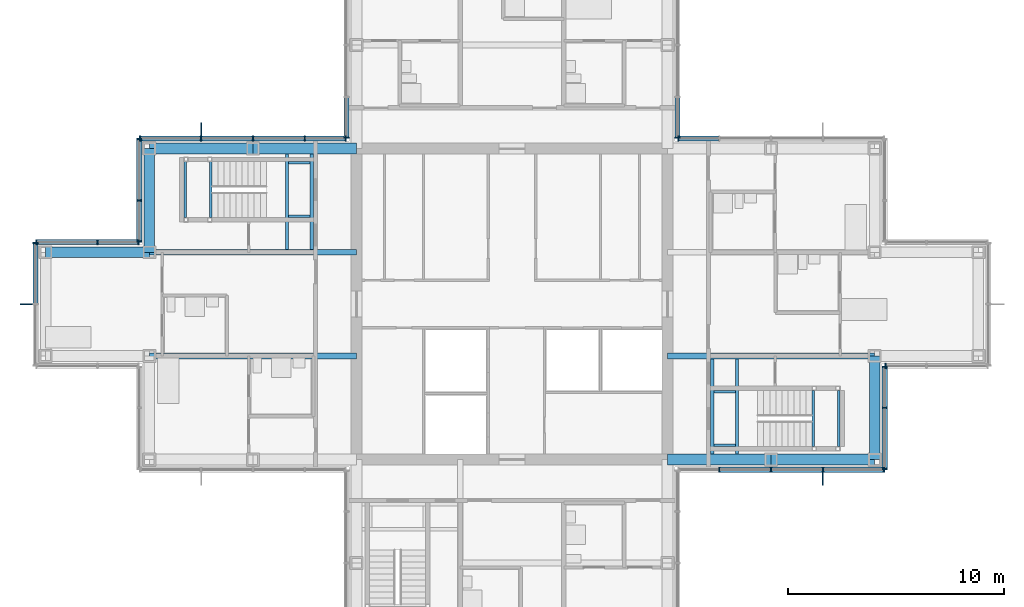
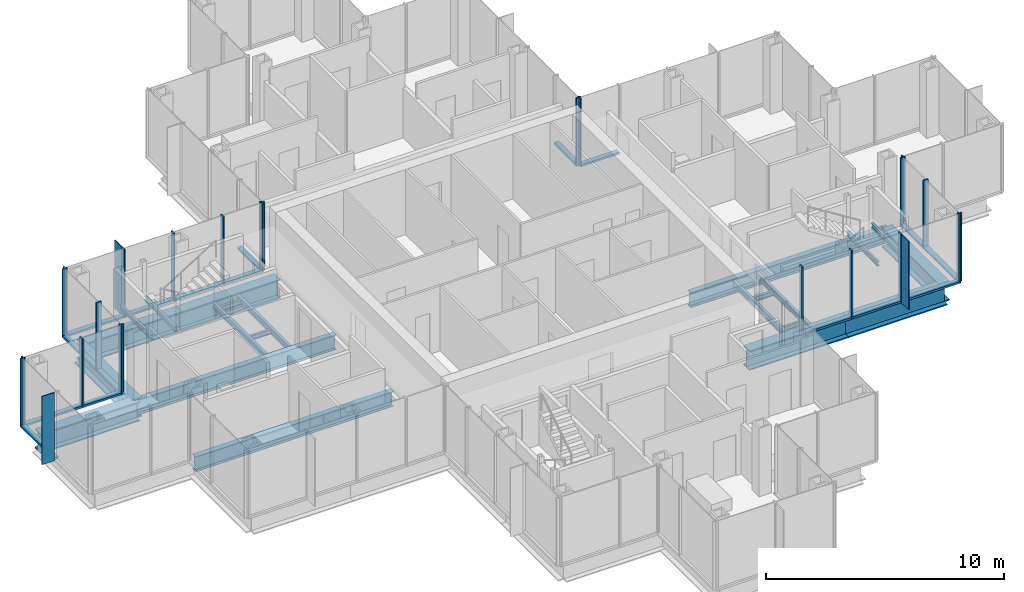
# One storey, part 7 of 17: 43 members, 22 beams, 10 elements without a shape of their own.
"""IFC4 building model written with IfcOpenShell, lengths in metres."""

from ifc_helpers import new_model, si_unit, direction, frame, origin, origin_2d, place, context, subcontext, project, spatial, rectangle, i_section, extrude, material, material_profile, profile_set, type_object, element, aggregate, save


model = new_model("IFC4")

# Units and contexts
model_context = context("Model", 3, precision=1e-05, world=origin(), true_north=direction((0.0, 1.0)))
body_context = subcontext(model_context, "Body", "Model", "MODEL_VIEW")
ifc_project = project(units=[si_unit("LENGTHUNIT", "METRE"), si_unit("AREAUNIT", "SQUARE_METRE"), si_unit("VOLUMEUNIT", "CUBIC_METRE"), si_unit("PLANEANGLEUNIT", "RADIAN"), si_unit("MASSUNIT", "GRAM", prefix="KILO")], contexts=[model_context])

# Site, building, storey
site_placement = place(None, origin())
site = spatial("IfcSite", under=ifc_project, at=site_placement, CompositionType="ELEMENT")
building_placement = place(site_placement, origin())
building = spatial("IfcBuilding", under=site, at=building_placement, Name="Kvirike Care Tower", CompositionType="ELEMENT")
storey_placement = place(building_placement, frame((0.0, 0.0, 176.0)))
storey = spatial("IfcBuildingStorey", under=building, at=storey_placement, Name="L48", CompositionType="ELEMENT", Elevation=176.0)

# Curtain wall, member
ifc_material_1 = material(Name="Anodised aluminium stick system", Category="aluminium")
curtain_wall_type = type_object("IfcCurtainWallType", Name="CW-C STICK CURTAIN WALL", PredefinedType="NOTDEFINED", material=ifc_material_1)
curtain_wall_1_placement = place(storey_placement, origin())
curtain_wall_1 = element("IfcCurtainWall", 1, at=curtain_wall_1_placement, inside=storey, type_object=curtain_wall_type, Name="Curtain wall L48 face 1", PredefinedType="NOTDEFINED")
ifc_material_2 = material(Name="Bronze anodised aluminium fin", Category="aluminium")
ifc_material_profile_1 = material_profile(ifc_material_2, rectangle(XDim=0.050048828125, YDim=0.60009765625, at=origin_2d()), Name="BRONZE FIN 600")
ifc_profile_set_1 = profile_set([ifc_material_profile_1], Name="Bronze anodised aluminium fin")
member_type_1 = type_object("IfcMemberType", Name="BRONZE FIN 600", PredefinedType="USERDEFINED", material=ifc_profile_set_1)
member_1_placement = place(storey_placement, frame((36.0, 27.909912109375, 0.0), z_axis=(0.0, 0.0, 1.0), x_axis=(1.0, 0.0, 0.0)))
member_1 = element("IfcMember", 2, at=member_1_placement, type_object=member_type_1, Name="Bronze fin L48 face 1.4", ObjectType="FIN", PredefinedType="USERDEFINED", context=body_context, shape_type="SweptSolid", body=[
    extrude(rectangle(XDim=0.050048828125, YDim=0.60009765625, at=origin_2d()), origin(), (0.0, 0.0, 1.0), 3.5),
])

curtain_wall_2_placement = place(storey_placement, origin())
curtain_wall_2 = element("IfcCurtainWall", 3, at=curtain_wall_2_placement, inside=storey, type_object=curtain_wall_type, Name="Curtain wall L48 face 15", PredefinedType="NOTDEFINED")
member_2_placement = place(storey_placement, frame((7.199951171875, 44.090087890625, 0.0), z_axis=(0.0, 0.0, 1.0), x_axis=(-1.0, 0.0, 0.0)))
member_2 = element("IfcMember", 4, at=member_2_placement, type_object=member_type_1, Name="Bronze fin L48 face 15.4", ObjectType="FIN", PredefinedType="USERDEFINED", context=body_context, shape_type="SweptSolid", body=[
    extrude(rectangle(XDim=0.050048828125, YDim=0.60009765625, at=origin_2d()), origin(), (0.0, 0.0, 1.0), 3.5),
])

curtain_wall_3_placement = place(storey_placement, origin())
curtain_wall_3 = element("IfcCurtainWall", 5, at=curtain_wall_3_placement, inside=storey, type_object=curtain_wall_type, Name="Curtain wall L48 face 18", PredefinedType="NOTDEFINED")
member_3_placement = place(storey_placement, frame((-0.889892578125, 36.0, 0.0), z_axis=(0.0, 0.0, 1.0), x_axis=(0.0, -1.0, 0.0)))
member_3 = element("IfcMember", 6, at=member_3_placement, type_object=member_type_1, Name="Bronze fin L48 face 18.2", ObjectType="FIN", PredefinedType="USERDEFINED", context=body_context, shape_type="SweptSolid", body=[
    extrude(rectangle(XDim=0.050048828125, YDim=0.60009765625, at=origin_2d()), origin(), (0.0, 0.0, 1.0), 3.5),
])

# Member
ifc_material_3 = material(Name="Bronze anodised aluminium mullion", Category="aluminium")
ifc_material_profile_2 = material_profile(ifc_material_3, rectangle(XDim=0.06494140625, YDim=0.239990234375, at=origin_2d()), Name="CW-C MULLION 65x240")
ifc_profile_set_2 = profile_set([ifc_material_profile_2], Name="Bronze anodised aluminium mullion")
member_type_2 = type_object("IfcMemberType", Name="CW-C MULLION 65x240", PredefinedType="MULLION", material=ifc_profile_set_2)
member_4_placement = place(storey_placement, frame((31.199951171875, 28.330078125, 0.0), z_axis=(0.0, 0.0, 1.0), x_axis=(1.0, 0.0, 0.0)))
member_4 = element("IfcMember", 7, at=member_4_placement, type_object=member_type_2, Name="CW-C mullion L48 face 1.2", PredefinedType="MULLION", context=body_context, shape_type="SweptSolid", body=[
    extrude(rectangle(XDim=0.06494140625, YDim=0.239990234375, at=origin_2d()), origin(), (0.0, 0.0, 1.0), 3.5),
])

member_5_placement = place(storey_placement, frame((33.60009765625, 28.330078125, 0.0), z_axis=(0.0, 0.0, 1.0), x_axis=(1.0, 0.0, 0.0)))
member_5 = element("IfcMember", 8, at=member_5_placement, type_object=member_type_2, Name="CW-C mullion L48 face 1.3", PredefinedType="MULLION", context=body_context, shape_type="SweptSolid", body=[
    extrude(rectangle(XDim=0.06494140625, YDim=0.239990234375, at=origin_2d()), origin(), (0.0, 0.0, 1.0), 3.5),
])

member_6_placement = place(storey_placement, frame((36.0, 28.330078125, 0.0), z_axis=(0.0, 0.0, 1.0), x_axis=(1.0, 0.0, 0.0)))
member_6 = element("IfcMember", 9, at=member_6_placement, type_object=member_type_2, Name="CW-C mullion L48 face 1.4", PredefinedType="MULLION", context=body_context, shape_type="SweptSolid", body=[
    extrude(rectangle(XDim=0.06494140625, YDim=0.239990234375, at=origin_2d()), origin(), (0.0, 0.0, 1.0), 3.5),
])

member_7_placement = place(storey_placement, frame((38.83740234375, 28.330078125, 0.0), z_axis=(0.0, 0.0, 1.0), x_axis=(1.0, 0.0, 0.0)))
member_7 = element("IfcMember", 10, at=member_7_placement, type_object=member_type_2, Name="CW-C mullion L48 face 1.5", PredefinedType="MULLION", context=body_context, shape_type="SweptSolid", body=[
    extrude(rectangle(XDim=0.06494140625, YDim=0.239990234375, at=origin_2d()), origin(), (0.0, 0.0, 1.0), 3.5),
])

# Curtain wall, members
curtain_wall_4_placement = place(storey_placement, origin())
curtain_wall_4 = element("IfcCurtainWall", 11, at=curtain_wall_4_placement, inside=storey, type_object=curtain_wall_type, Name="Curtain wall L48 face 2", PredefinedType="NOTDEFINED")
member_8_placement = place(storey_placement, frame((38.8701171875, 28.362548828125, 0.0), z_axis=(0.0, 0.0, 1.0), x_axis=(0.0, 1.0, 0.0)))
member_8 = element("IfcMember", 12, at=member_8_placement, type_object=member_type_2, Name="CW-C mullion L48 face 2.1", PredefinedType="MULLION", context=body_context, shape_type="SweptSolid", body=[
    extrude(rectangle(XDim=0.06494140625, YDim=0.239990234375, at=origin_2d()), origin(), (0.0, 0.0, 1.0), 3.5),
])
member_9_placement = place(storey_placement, frame((38.8701171875, 31.199951171875, 0.0), z_axis=(0.0, 0.0, 1.0), x_axis=(0.0, 1.0, 0.0)))
member_9 = element("IfcMember", 13, at=member_9_placement, type_object=member_type_2, Name="CW-C mullion L48 face 2.2", PredefinedType="MULLION", context=body_context, shape_type="SweptSolid", body=[
    extrude(rectangle(XDim=0.06494140625, YDim=0.239990234375, at=origin_2d()), origin(), (0.0, 0.0, 1.0), 3.5),
])
member_10_placement = place(storey_placement, frame((38.8701171875, 33.097412109375, 0.0), z_axis=(0.0, 0.0, 1.0), x_axis=(0.0, 1.0, 0.0)))
member_10 = element("IfcMember", 14, at=member_10_placement, type_object=member_type_2, Name="CW-C mullion L48 face 2.3", PredefinedType="MULLION", context=body_context, shape_type="SweptSolid", body=[
    extrude(rectangle(XDim=0.06494140625, YDim=0.239990234375, at=origin_2d()), origin(), (0.0, 0.0, 1.0), 3.5),
])

# Curtain wall, member
curtain_wall_5_placement = place(storey_placement, origin())
curtain_wall_5 = element("IfcCurtainWall", 15, at=curtain_wall_5_placement, inside=storey, type_object=curtain_wall_type, Name="Curtain wall L48 face 3", PredefinedType="NOTDEFINED")
member_11_placement = place(storey_placement, frame((38.902587890625, 33.1298828125, 0.0), z_axis=(0.0, 0.0, 1.0), x_axis=(1.0, 0.0, 0.0)))
member_11 = element("IfcMember", 16, at=member_11_placement, type_object=member_type_2, Name="CW-C mullion L48 face 3.1", PredefinedType="MULLION", context=body_context, shape_type="SweptSolid", body=[
    extrude(rectangle(XDim=0.06494140625, YDim=0.239990234375, at=origin_2d()), origin(), (0.0, 0.0, 1.0), 3.5),
])
aggregate(curtain_wall_5, [member_11])

curtain_wall_6_placement = place(storey_placement, origin())
curtain_wall_6 = element("IfcCurtainWall", 17, at=curtain_wall_6_placement, inside=storey, type_object=curtain_wall_type, Name="Curtain wall L48 face 7", PredefinedType="NOTDEFINED")
member_12_placement = place(storey_placement, frame((29.302490234375, 43.669921875, 0.0), z_axis=(0.0, 0.0, 1.0), x_axis=(-1.0, 0.0, 0.0)))
member_12 = element("IfcMember", 18, at=member_12_placement, type_object=member_type_2, Name="CW-C mullion L48 face 7.5", PredefinedType="MULLION", context=body_context, shape_type="SweptSolid", body=[
    extrude(rectangle(XDim=0.06494140625, YDim=0.239990234375, at=origin_2d()), origin(), (0.0, 0.0, 1.0), 3.5),
])

curtain_wall_7_placement = place(storey_placement, origin())
curtain_wall_7 = element("IfcCurtainWall", 19, at=curtain_wall_7_placement, inside=storey, type_object=curtain_wall_type, Name="Curtain wall L48 face 8", PredefinedType="NOTDEFINED")
member_13_placement = place(storey_placement, frame((29.27001953125, 43.702392578125, 0.0), z_axis=(0.0, 0.0, 1.0), x_axis=(0.0, 1.0, 0.0)))
member_13 = element("IfcMember", 20, at=member_13_placement, type_object=member_type_2, Name="CW-C mullion L48 face 8.1", PredefinedType="MULLION", context=body_context, shape_type="SweptSolid", body=[
    extrude(rectangle(XDim=0.06494140625, YDim=0.239990234375, at=origin_2d()), origin(), (0.0, 0.0, 1.0), 3.5),
])

curtain_wall_8_placement = place(storey_placement, origin())
curtain_wall_8 = element("IfcCurtainWall", 21, at=curtain_wall_8_placement, inside=storey, type_object=curtain_wall_type, Name="Curtain wall L48 face 14", PredefinedType="NOTDEFINED")
member_14_placement = place(storey_placement, frame((13.929931640625, 43.702392578125, 0.0), z_axis=(0.0, 0.0, 1.0), x_axis=(0.0, -1.0, 0.0)))
member_14 = element("IfcMember", 22, at=member_14_placement, type_object=member_type_2, Name="CW-C mullion L48 face 14.5", PredefinedType="MULLION", context=body_context, shape_type="SweptSolid", body=[
    extrude(rectangle(XDim=0.06494140625, YDim=0.239990234375, at=origin_2d()), origin(), (0.0, 0.0, 1.0), 3.5),
])

# Member
member_15_placement = place(storey_placement, frame((13.8974609375, 43.669921875, 0.0), z_axis=(0.0, 0.0, 1.0), x_axis=(-1.0, 0.0, 0.0)))
member_15 = element("IfcMember", 23, at=member_15_placement, type_object=member_type_2, Name="CW-C mullion L48 face 15.1", PredefinedType="MULLION", context=body_context, shape_type="SweptSolid", body=[
    extrude(rectangle(XDim=0.06494140625, YDim=0.239990234375, at=origin_2d()), origin(), (0.0, 0.0, 1.0), 3.5),
])

member_16_placement = place(storey_placement, frame((12.0, 43.669921875, 0.0), z_axis=(0.0, 0.0, 1.0), x_axis=(-1.0, 0.0, 0.0)))
member_16 = element("IfcMember", 24, at=member_16_placement, type_object=member_type_2, Name="CW-C mullion L48 face 15.2", PredefinedType="MULLION", context=body_context, shape_type="SweptSolid", body=[
    extrude(rectangle(XDim=0.06494140625, YDim=0.239990234375, at=origin_2d()), origin(), (0.0, 0.0, 1.0), 3.5),
])

member_17_placement = place(storey_placement, frame((9.60009765625, 43.669921875, 0.0), z_axis=(0.0, 0.0, 1.0), x_axis=(-1.0, 0.0, 0.0)))
member_17 = element("IfcMember", 25, at=member_17_placement, type_object=member_type_2, Name="CW-C mullion L48 face 15.3", PredefinedType="MULLION", context=body_context, shape_type="SweptSolid", body=[
    extrude(rectangle(XDim=0.06494140625, YDim=0.239990234375, at=origin_2d()), origin(), (0.0, 0.0, 1.0), 3.5),
])

member_18_placement = place(storey_placement, frame((7.199951171875, 43.669921875, 0.0), z_axis=(0.0, 0.0, 1.0), x_axis=(-1.0, 0.0, 0.0)))
member_18 = element("IfcMember", 26, at=member_18_placement, type_object=member_type_2, Name="CW-C mullion L48 face 15.4", PredefinedType="MULLION", context=body_context, shape_type="SweptSolid", body=[
    extrude(rectangle(XDim=0.06494140625, YDim=0.239990234375, at=origin_2d()), origin(), (0.0, 0.0, 1.0), 3.5),
])

member_19_placement = place(storey_placement, frame((4.362548828125, 43.669921875, 0.0), z_axis=(0.0, 0.0, 1.0), x_axis=(-1.0, 0.0, 0.0)))
member_19 = element("IfcMember", 27, at=member_19_placement, type_object=member_type_2, Name="CW-C mullion L48 face 15.5", PredefinedType="MULLION", context=body_context, shape_type="SweptSolid", body=[
    extrude(rectangle(XDim=0.06494140625, YDim=0.239990234375, at=origin_2d()), origin(), (0.0, 0.0, 1.0), 3.5),
])

# Curtain wall, members
curtain_wall_9_placement = place(storey_placement, origin())
curtain_wall_9 = element("IfcCurtainWall", 28, at=curtain_wall_9_placement, inside=storey, type_object=curtain_wall_type, Name="Curtain wall L48 face 16", PredefinedType="NOTDEFINED")
member_20_placement = place(storey_placement, frame((4.330078125, 43.637451171875, 0.0), z_axis=(0.0, 0.0, 1.0), x_axis=(0.0, -1.0, 0.0)))
member_20 = element("IfcMember", 29, at=member_20_placement, type_object=member_type_2, Name="CW-C mullion L48 face 16.1", PredefinedType="MULLION", context=body_context, shape_type="SweptSolid", body=[
    extrude(rectangle(XDim=0.06494140625, YDim=0.239990234375, at=origin_2d()), origin(), (0.0, 0.0, 1.0), 3.5),
])
member_21_placement = place(storey_placement, frame((4.330078125, 40.800048828125, 0.0), z_axis=(0.0, 0.0, 1.0), x_axis=(0.0, -1.0, 0.0)))
member_21 = element("IfcMember", 30, at=member_21_placement, type_object=member_type_2, Name="CW-C mullion L48 face 16.2", PredefinedType="MULLION", context=body_context, shape_type="SweptSolid", body=[
    extrude(rectangle(XDim=0.06494140625, YDim=0.239990234375, at=origin_2d()), origin(), (0.0, 0.0, 1.0), 3.5),
])
member_22_placement = place(storey_placement, frame((4.330078125, 38.902587890625, 0.0), z_axis=(0.0, 0.0, 1.0), x_axis=(0.0, -1.0, 0.0)))
member_22 = element("IfcMember", 31, at=member_22_placement, type_object=member_type_2, Name="CW-C mullion L48 face 16.3", PredefinedType="MULLION", context=body_context, shape_type="SweptSolid", body=[
    extrude(rectangle(XDim=0.06494140625, YDim=0.239990234375, at=origin_2d()), origin(), (0.0, 0.0, 1.0), 3.5),
])

curtain_wall_10_placement = place(storey_placement, origin())
curtain_wall_10 = element("IfcCurtainWall", 32, at=curtain_wall_10_placement, inside=storey, type_object=curtain_wall_type, Name="Curtain wall L48 face 17", PredefinedType="NOTDEFINED")
member_23_placement = place(storey_placement, frame((4.297607421875, 38.8701171875, 0.0), z_axis=(0.0, 0.0, 1.0), x_axis=(-1.0, 0.0, 0.0)))
member_23 = element("IfcMember", 33, at=member_23_placement, type_object=member_type_2, Name="CW-C mullion L48 face 17.1", PredefinedType="MULLION", context=body_context, shape_type="SweptSolid", body=[
    extrude(rectangle(XDim=0.06494140625, YDim=0.239990234375, at=origin_2d()), origin(), (0.0, 0.0, 1.0), 3.5),
])
member_24_placement = place(storey_placement, frame((2.39990234375, 38.8701171875, 0.0), z_axis=(0.0, 0.0, 1.0), x_axis=(-1.0, 0.0, 0.0)))
member_24 = element("IfcMember", 34, at=member_24_placement, type_object=member_type_2, Name="CW-C mullion L48 face 17.2", PredefinedType="MULLION", context=body_context, shape_type="SweptSolid", body=[
    extrude(rectangle(XDim=0.06494140625, YDim=0.239990234375, at=origin_2d()), origin(), (0.0, 0.0, 1.0), 3.5),
])
member_25_placement = place(storey_placement, frame((-0.4375, 38.8701171875, 0.0), z_axis=(0.0, 0.0, 1.0), x_axis=(-1.0, 0.0, 0.0)))
member_25 = element("IfcMember", 35, at=member_25_placement, type_object=member_type_2, Name="CW-C mullion L48 face 17.3", PredefinedType="MULLION", context=body_context, shape_type="SweptSolid", body=[
    extrude(rectangle(XDim=0.06494140625, YDim=0.239990234375, at=origin_2d()), origin(), (0.0, 0.0, 1.0), 3.5),
])

# Member
member_26_placement = place(storey_placement, frame((-0.469970703125, 38.83740234375, 0.0), z_axis=(0.0, 0.0, 1.0), x_axis=(0.0, -1.0, 0.0)))
member_26 = element("IfcMember", 36, at=member_26_placement, type_object=member_type_2, Name="CW-C mullion L48 face 18.1", PredefinedType="MULLION", context=body_context, shape_type="SweptSolid", body=[
    extrude(rectangle(XDim=0.06494140625, YDim=0.239990234375, at=origin_2d()), origin(), (0.0, 0.0, 1.0), 3.5),
])

ifc_material_4 = material(Name="Bronze anodised aluminium transom", Category="aluminium")
ifc_material_profile_3 = material_profile(ifc_material_4, rectangle(XDim=0.239990234375, YDim=0.10009765625, at=origin_2d()), Name="CW-C TRANSOM 240x100")
ifc_profile_set_3 = profile_set([ifc_material_profile_3], Name="Bronze anodised aluminium transom")
member_type_3 = type_object("IfcMemberType", Name="CW-C TRANSOM 240x100", PredefinedType="USERDEFINED", material=ifc_profile_set_3)
member_27_placement = place(storey_placement, frame((31.232421875, 28.330078125, 0.050048828125), z_axis=(1.0, 0.0, 0.0), x_axis=(0.0, 1.0, 0.0)))
member_27 = element("IfcMember", 37, at=member_27_placement, type_object=member_type_3, Name="CW-C sill transom L48 face 1.2", ObjectType="TRANSOM", PredefinedType="USERDEFINED", context=body_context, shape_type="SweptSolid", body=[
    extrude(rectangle(XDim=0.239990234375, YDim=0.10009765625, at=origin_2d()), origin(), (0.0, 0.0, 1.0), 2.3349609375),
])

member_28_placement = place(storey_placement, frame((33.632568359375, 28.330078125, 0.050048828125), z_axis=(1.0, 0.0, 0.0), x_axis=(0.0, 1.0, 0.0)))
member_28 = element("IfcMember", 38, at=member_28_placement, type_object=member_type_3, Name="CW-C sill transom L48 face 1.3", ObjectType="TRANSOM", PredefinedType="USERDEFINED", context=body_context, shape_type="SweptSolid", body=[
    extrude(rectangle(XDim=0.239990234375, YDim=0.10009765625, at=origin_2d()), origin(), (0.0, 0.0, 1.0), 2.3349609375),
])

member_29_placement = place(storey_placement, frame((36.032470703125, 28.330078125, 0.050048828125), z_axis=(1.0, 0.0, 0.0), x_axis=(0.0, 1.0, 0.0)))
member_29 = element("IfcMember", 39, at=member_29_placement, type_object=member_type_3, Name="CW-C sill transom L48 face 1.4", ObjectType="TRANSOM", PredefinedType="USERDEFINED", context=body_context, shape_type="SweptSolid", body=[
    extrude(rectangle(XDim=0.239990234375, YDim=0.10009765625, at=origin_2d()), origin(), (0.0, 0.0, 1.0), 2.7724609375),
])

aggregate(curtain_wall_1, [member_4, member_5, member_6, member_1, member_7, member_27, member_28, member_29])

member_30_placement = place(storey_placement, frame((38.8701171875, 28.39501953125, 0.050048828125), z_axis=(0.0, 1.0, 0.0), x_axis=(-1.0, 0.0, 0.0)))
member_30 = element("IfcMember", 40, at=member_30_placement, type_object=member_type_3, Name="CW-C sill transom L48 face 2.1", ObjectType="TRANSOM", PredefinedType="USERDEFINED", context=body_context, shape_type="SweptSolid", body=[
    extrude(rectangle(XDim=0.239990234375, YDim=0.10009765625, at=origin_2d()), origin(), (0.0, 0.0, 1.0), 2.7724609375),
])

member_31_placement = place(storey_placement, frame((38.8701171875, 31.232421875, 0.050048828125), z_axis=(0.0, 1.0, 0.0), x_axis=(-1.0, 0.0, 0.0)))
member_31 = element("IfcMember", 41, at=member_31_placement, type_object=member_type_3, Name="CW-C sill transom L48 face 2.2", ObjectType="TRANSOM", PredefinedType="USERDEFINED", context=body_context, shape_type="SweptSolid", body=[
    extrude(rectangle(XDim=0.239990234375, YDim=0.10009765625, at=origin_2d()), origin(), (0.0, 0.0, 1.0), 1.83251953125),
])

aggregate(curtain_wall_4, [member_8, member_9, member_10, member_30, member_31])

member_32_placement = place(storey_placement, frame((31.16748046875, 43.669921875, 0.050048828125), z_axis=(-1.0, 0.0, 0.0), x_axis=(0.0, -1.0, 0.0)))
member_32 = element("IfcMember", 42, at=member_32_placement, type_object=member_type_3, Name="CW-C sill transom L48 face 7.4", ObjectType="TRANSOM", PredefinedType="USERDEFINED", context=body_context, shape_type="SweptSolid", body=[
    extrude(rectangle(XDim=0.239990234375, YDim=0.10009765625, at=origin_2d()), origin(), (0.0, 0.0, 1.0), 1.83251953125),
])

aggregate(curtain_wall_6, [member_12, member_32])

member_33_placement = place(storey_placement, frame((29.27001953125, 43.735107421875, 0.050048828125), z_axis=(0.0, 1.0, 0.0), x_axis=(-1.0, 0.0, 0.0)))
member_33 = element("IfcMember", 43, at=member_33_placement, type_object=member_type_3, Name="CW-C sill transom L48 face 8.1", ObjectType="TRANSOM", PredefinedType="USERDEFINED", context=body_context, shape_type="SweptSolid", body=[
    extrude(rectangle(XDim=0.239990234375, YDim=0.10009765625, at=origin_2d()), origin(), (0.0, 0.0, 1.0), 1.832275390625),
])

aggregate(curtain_wall_7, [member_13, member_33])

member_34_placement = place(storey_placement, frame((13.929931640625, 45.5673828125, 0.050048828125), z_axis=(0.0, -1.0, 0.0), x_axis=(1.0, 0.0, 0.0)))
member_34 = element("IfcMember", 44, at=member_34_placement, type_object=member_type_3, Name="CW-C sill transom L48 face 14.4", ObjectType="TRANSOM", PredefinedType="USERDEFINED", context=body_context, shape_type="SweptSolid", body=[
    extrude(rectangle(XDim=0.239990234375, YDim=0.10009765625, at=origin_2d()), origin(), (0.0, 0.0, 1.0), 1.832275390625),
])

aggregate(curtain_wall_8, [member_14, member_34])

member_35_placement = place(storey_placement, frame((13.864990234375, 43.669921875, 0.050048828125), z_axis=(-1.0, 0.0, 0.0), x_axis=(0.0, -1.0, 0.0)))
member_35 = element("IfcMember", 45, at=member_35_placement, type_object=member_type_3, Name="CW-C sill transom L48 face 15.1", ObjectType="TRANSOM", PredefinedType="USERDEFINED", context=body_context, shape_type="SweptSolid", body=[
    extrude(rectangle(XDim=0.239990234375, YDim=0.10009765625, at=origin_2d()), origin(), (0.0, 0.0, 1.0), 1.83251953125),
])

member_36_placement = place(storey_placement, frame((11.967529296875, 43.669921875, 0.050048828125), z_axis=(-1.0, 0.0, 0.0), x_axis=(0.0, -1.0, 0.0)))
member_36 = element("IfcMember", 46, at=member_36_placement, type_object=member_type_3, Name="CW-C sill transom L48 face 15.2", ObjectType="TRANSOM", PredefinedType="USERDEFINED", context=body_context, shape_type="SweptSolid", body=[
    extrude(rectangle(XDim=0.239990234375, YDim=0.10009765625, at=origin_2d()), origin(), (0.0, 0.0, 1.0), 2.3349609375),
])

member_37_placement = place(storey_placement, frame((9.5673828125, 43.669921875, 0.050048828125), z_axis=(-1.0, 0.0, 0.0), x_axis=(0.0, -1.0, 0.0)))
member_37 = element("IfcMember", 47, at=member_37_placement, type_object=member_type_3, Name="CW-C sill transom L48 face 15.3", ObjectType="TRANSOM", PredefinedType="USERDEFINED", context=body_context, shape_type="SweptSolid", body=[
    extrude(rectangle(XDim=0.239990234375, YDim=0.10009765625, at=origin_2d()), origin(), (0.0, 0.0, 1.0), 2.3349609375),
])

member_38_placement = place(storey_placement, frame((7.16748046875, 43.669921875, 0.050048828125), z_axis=(-1.0, 0.0, 0.0), x_axis=(0.0, -1.0, 0.0)))
member_38 = element("IfcMember", 48, at=member_38_placement, type_object=member_type_3, Name="CW-C sill transom L48 face 15.4", ObjectType="TRANSOM", PredefinedType="USERDEFINED", context=body_context, shape_type="SweptSolid", body=[
    extrude(rectangle(XDim=0.239990234375, YDim=0.10009765625, at=origin_2d()), origin(), (0.0, 0.0, 1.0), 2.7724609375),
])

aggregate(curtain_wall_2, [member_15, member_16, member_17, member_18, member_2, member_19, member_35, member_36, member_37, member_38])

member_39_placement = place(storey_placement, frame((4.330078125, 43.60498046875, 0.050048828125), z_axis=(0.0, -1.0, 0.0), x_axis=(1.0, 0.0, 0.0)))
member_39 = element("IfcMember", 49, at=member_39_placement, type_object=member_type_3, Name="CW-C sill transom L48 face 16.1", ObjectType="TRANSOM", PredefinedType="USERDEFINED", context=body_context, shape_type="SweptSolid", body=[
    extrude(rectangle(XDim=0.239990234375, YDim=0.10009765625, at=origin_2d()), origin(), (0.0, 0.0, 1.0), 2.7724609375),
])

member_40_placement = place(storey_placement, frame((4.330078125, 40.767578125, 0.050048828125), z_axis=(0.0, -1.0, 0.0), x_axis=(1.0, 0.0, 0.0)))
member_40 = element("IfcMember", 50, at=member_40_placement, type_object=member_type_3, Name="CW-C sill transom L48 face 16.2", ObjectType="TRANSOM", PredefinedType="USERDEFINED", context=body_context, shape_type="SweptSolid", body=[
    extrude(rectangle(XDim=0.239990234375, YDim=0.10009765625, at=origin_2d()), origin(), (0.0, 0.0, 1.0), 1.83251953125),
])

aggregate(curtain_wall_9, [member_20, member_21, member_22, member_39, member_40])

member_41_placement = place(storey_placement, frame((4.264892578125, 38.8701171875, 0.050048828125), z_axis=(-1.0, 0.0, 0.0), x_axis=(0.0, -1.0, 0.0)))
member_41 = element("IfcMember", 51, at=member_41_placement, type_object=member_type_3, Name="CW-C sill transom L48 face 17.1", ObjectType="TRANSOM", PredefinedType="USERDEFINED", context=body_context, shape_type="SweptSolid", body=[
    extrude(rectangle(XDim=0.239990234375, YDim=0.10009765625, at=origin_2d()), origin(), (0.0, 0.0, 1.0), 1.832275390625),
])

member_42_placement = place(storey_placement, frame((2.367431640625, 38.8701171875, 0.050048828125), z_axis=(-1.0, 0.0, 0.0), x_axis=(0.0, -1.0, 0.0)))
member_42 = element("IfcMember", 52, at=member_42_placement, type_object=member_type_3, Name="CW-C sill transom L48 face 17.2", ObjectType="TRANSOM", PredefinedType="USERDEFINED", context=body_context, shape_type="SweptSolid", body=[
    extrude(rectangle(XDim=0.239990234375, YDim=0.10009765625, at=origin_2d()), origin(), (0.0, 0.0, 1.0), 2.7724609375),
])

aggregate(curtain_wall_10, [member_23, member_24, member_25, member_41, member_42])

member_43_placement = place(storey_placement, frame((-0.469970703125, 38.804931640625, 0.050048828125), z_axis=(0.0, -1.0, 0.0), x_axis=(1.0, 0.0, 0.0)))
member_43 = element("IfcMember", 53, at=member_43_placement, type_object=member_type_3, Name="CW-C sill transom L48 face 18.1", ObjectType="TRANSOM", PredefinedType="USERDEFINED", context=body_context, shape_type="SweptSolid", body=[
    extrude(rectangle(XDim=0.239990234375, YDim=0.10009765625, at=origin_2d()), origin(), (0.0, 0.0, 1.0), 2.7724609375),
])

aggregate(curtain_wall_3, [member_26, member_3, member_43])

# Beams
ifc_material_5 = material(Name="Steel S355", Category="steel")
ifc_material_profile_4 = material_profile(ifc_material_5, i_section(OverallWidth=0.26806640625, OverallDepth=0.77001953125, WebThickness=0.015625, FlangeThickness=0.025390625, FilletRadius=0.01708984375, at=origin_2d()), Name="IPE 750x196")
ifc_profile_set_4 = profile_set([ifc_material_profile_4], Name="Steel S355")
beam_type_1 = type_object("IfcBeamType", Name="FLOOR BEAM IPE 750x196", PredefinedType="BEAM", material=ifc_profile_set_4)
for number, where, z_axis, x_axis, name in (
    (54, (4.800048828125, 33.60009765625, -0.554931640625), (1.0, 0.0, 0.0), (0.0, 1.0, 0.0), "Floor Beam H4-H6 L48"),
    (55, (28.800048828125, 33.60009765625, -0.554931640625), (1.0, 0.0, 0.0), (0.0, 1.0, 0.0), "Floor Beam H9-H11 L48"),
    (56, (4.800048828125, 38.39990234375, -0.554931640625), (1.0, 0.0, 0.0), (0.0, 1.0, 0.0), "Floor Beam J4-J6 L48"),
):
    element("IfcBeam", number, at=place(storey_placement, frame(where, z_axis=z_axis, x_axis=x_axis)), inside=storey, type_object=beam_type_1, Name=name, PredefinedType="BEAM", context=body_context, shape_type="SweptSolid", body=[
        extrude(i_section(OverallWidth=0.26806640625, OverallDepth=0.77001953125, WebThickness=0.015625, FlangeThickness=0.025390625, FilletRadius=0.01708984375, at=origin_2d()), origin(), (0.0, 0.0, 1.0), 9.599853515625),
    ])
ifc_material_6 = material(Name="Steel S355", Category="steel")
ifc_material_profile_5 = material_profile(ifc_material_6, i_section(OverallWidth=0.5, OverallDepth=1.0, WebThickness=0.030029296875, FlangeThickness=0.06005859375, at=origin_2d()), Name="PG 1000x500x30x60")
ifc_profile_set_5 = profile_set([ifc_material_profile_5], Name="Steel S355")
beam_type_2 = type_object("IfcBeamType", Name="SPANDREL PG 1000x500x30x60", PredefinedType="SPANDREL", material=ifc_profile_set_5)
beam_1_placement = place(storey_placement, frame((28.800048828125, 28.800048828125, -0.669921875), z_axis=(1.0, 0.0, 0.0), x_axis=(0.0, 1.0, 0.0)))
element("IfcBeam", 57, at=beam_1_placement, inside=storey, type_object=beam_type_2, Name="Spandrel G9-G10 L48", PredefinedType="SPANDREL", context=body_context, shape_type="SweptSolid", body=[
    extrude(i_section(OverallWidth=0.5, OverallDepth=1.0, WebThickness=0.030029296875, FlangeThickness=0.06005859375, at=origin_2d()), origin(), (0.0, 0.0, 1.0), 4.800048828125),
])
beam_2_placement = place(storey_placement, frame((33.60009765625, 28.800048828125, -0.669921875), z_axis=(1.0, 0.0, 0.0), x_axis=(0.0, 1.0, 0.0)))
element("IfcBeam", 58, at=beam_2_placement, inside=storey, type_object=beam_type_2, Name="Spandrel G10-G11 L48", PredefinedType="SPANDREL", context=body_context, shape_type="SweptSolid", body=[
    extrude(i_section(OverallWidth=0.5, OverallDepth=1.0, WebThickness=0.030029296875, FlangeThickness=0.06005859375, at=origin_2d()), origin(), (0.0, 0.0, 1.0), 4.7998046875),
])
for number, where, z_axis, x_axis, name in (
    (59, (0.0, 38.39990234375, -0.669921875), (1.0, 0.0, 0.0), (0.0, 1.0, 0.0), "Spandrel J3-J4 L48"),
    (60, (4.800048828125, 43.199951171875, -0.669921875), (1.0, 0.0, 0.0), (0.0, 1.0, 0.0), "Spandrel K4-K5 L48"),
):
    element("IfcBeam", number, at=place(storey_placement, frame(where, z_axis=z_axis, x_axis=x_axis)), inside=storey, type_object=beam_type_2, Name=name, PredefinedType="SPANDREL", context=body_context, shape_type="SweptSolid", body=[
        extrude(i_section(OverallWidth=0.5, OverallDepth=1.0, WebThickness=0.030029296875, FlangeThickness=0.06005859375, at=origin_2d()), origin(), (0.0, 0.0, 1.0), 4.800048828125),
    ])
beam_3_placement = place(storey_placement, frame((9.60009765625, 43.199951171875, -0.669921875), z_axis=(1.0, 0.0, 0.0), x_axis=(0.0, 1.0, 0.0)))
element("IfcBeam", 61, at=beam_3_placement, inside=storey, type_object=beam_type_2, Name="Spandrel K5-K6 L48", PredefinedType="SPANDREL", context=body_context, shape_type="SweptSolid", body=[
    extrude(i_section(OverallWidth=0.5, OverallDepth=1.0, WebThickness=0.030029296875, FlangeThickness=0.06005859375, at=origin_2d()), origin(), (0.0, 0.0, 1.0), 4.7998046875),
])
for number, where, z_axis, x_axis, name in (
    (62, (4.800048828125, 38.39990234375, -0.669921875), (0.0, 1.0, 0.0), (-1.0, 0.0, 0.0), "Spandrel J4-K4 L48"),
    (63, (38.39990234375, 28.800048828125, -0.669921875), (0.0, 1.0, 0.0), (-1.0, 0.0, 0.0), "Spandrel G11-H11 L48"),
):
    element("IfcBeam", number, at=place(storey_placement, frame(where, z_axis=z_axis, x_axis=x_axis)), inside=storey, type_object=beam_type_2, Name=name, PredefinedType="SPANDREL", context=body_context, shape_type="SweptSolid", body=[
        extrude(i_section(OverallWidth=0.5, OverallDepth=1.0, WebThickness=0.030029296875, FlangeThickness=0.06005859375, at=origin_2d()), origin(), (0.0, 0.0, 1.0), 4.800048828125),
    ])
ifc_material_7 = material(Name="Steel S355", Category="steel")
ifc_material_profile_6 = material_profile(ifc_material_7, i_section(OverallWidth=0.1201171875, OverallDepth=0.239990234375, WebThickness=0.006103515625, FlangeThickness=0.009765625, FilletRadius=0.014892578125, at=origin_2d()), Name="IPE 240")
ifc_profile_set_6 = profile_set([ifc_material_profile_6], Name="Steel S355")
beam_type_3 = type_object("IfcBeamType", Name="STAIR LANDING BEAM IPE 240", PredefinedType="BEAM", material=ifc_profile_set_6)
for number, where, z_axis, x_axis, name in (
    (64, (6.4599609375, 42.60009765625, 1.429931640625), (0.0, -1.0, 0.0), (1.0, 0.0, 0.0), "Stair 1 landing beam back L48"),
    (65, (7.639892578125, 42.60009765625, 1.429931640625), (0.0, -1.0, 0.0), (1.0, 0.0, 0.0), "Stair 1 landing beam front L48"),
):
    element("IfcBeam", number, at=place(storey_placement, frame(where, z_axis=z_axis, x_axis=x_axis)), inside=storey, type_object=beam_type_3, Name=name, PredefinedType="BEAM", context=body_context, shape_type="SweptSolid", body=[
        extrude(i_section(OverallWidth=0.1201171875, OverallDepth=0.239990234375, WebThickness=0.006103515625, FlangeThickness=0.009765625, FilletRadius=0.014892578125, at=origin_2d()), origin(), (0.0, 0.0, 1.0), 2.60009765625),
    ])
for number, where, z_axis, x_axis, name in (
    (66, (11.25, 42.5400390625, -0.320068359375), (1.0, 0.0, 0.0), (0.0, 1.0, 0.0), "Stair 1 landing edge beam 1 L48"),
    (67, (11.25, 40.06005859375, -0.320068359375), (1.0, 0.0, 0.0), (0.0, 1.0, 0.0), "Stair 1 landing edge beam 2 L48"),
):
    element("IfcBeam", number, at=place(storey_placement, frame(where, z_axis=z_axis, x_axis=x_axis)), inside=storey, type_object=beam_type_3, Name=name, PredefinedType="BEAM", context=body_context, shape_type="SweptSolid", body=[
        extrude(i_section(OverallWidth=0.1201171875, OverallDepth=0.239990234375, WebThickness=0.006103515625, FlangeThickness=0.009765625, FilletRadius=0.014892578125, at=origin_2d()), origin(), (0.0, 0.0, 1.0), 1.0),
    ])
for number, where, z_axis, x_axis, name in (
    (68, (36.739990234375, 29.39990234375, 1.429931640625), (0.0, 1.0, 0.0), (-1.0, 0.0, 0.0), "Stair 2 landing beam back L48"),
    (69, (35.56005859375, 29.39990234375, 1.429931640625), (0.0, 1.0, 0.0), (-1.0, 0.0, 0.0), "Stair 2 landing beam front L48"),
):
    element("IfcBeam", number, at=place(storey_placement, frame(where, z_axis=z_axis, x_axis=x_axis)), inside=storey, type_object=beam_type_3, Name=name, PredefinedType="BEAM", context=body_context, shape_type="SweptSolid", body=[
        extrude(i_section(OverallWidth=0.1201171875, OverallDepth=0.239990234375, WebThickness=0.006103515625, FlangeThickness=0.009765625, FilletRadius=0.014892578125, at=origin_2d()), origin(), (0.0, 0.0, 1.0), 2.60009765625),
    ])
for number, where, z_axis, x_axis, name in (
    (70, (31.949951171875, 29.4599609375, -0.320068359375), (-1.0, 0.0, 0.0), (0.0, -1.0, 0.0), "Stair 2 landing edge beam 1 L48"),
    (71, (31.949951171875, 31.93994140625, -0.320068359375), (-1.0, 0.0, 0.0), (0.0, -1.0, 0.0), "Stair 2 landing edge beam 2 L48"),
):
    element("IfcBeam", number, at=place(storey_placement, frame(where, z_axis=z_axis, x_axis=x_axis)), inside=storey, type_object=beam_type_3, Name=name, PredefinedType="BEAM", context=body_context, shape_type="SweptSolid", body=[
        extrude(i_section(OverallWidth=0.1201171875, OverallDepth=0.239990234375, WebThickness=0.006103515625, FlangeThickness=0.009765625, FilletRadius=0.014892578125, at=origin_2d()), origin(), (0.0, 0.0, 1.0), 1.0),
    ])
ifc_material_8 = material(Name="Steel S355", Category="steel")
ifc_material_profile_7 = material_profile(ifc_material_8, i_section(OverallWidth=0.14990234375, OverallDepth=0.300048828125, WebThickness=0.007080078125, FlangeThickness=0.0107421875, FilletRadius=0.014892578125, at=origin_2d()), Name="IPE 300")
ifc_profile_set_7 = profile_set([ifc_material_profile_7], Name="Steel S355")
beam_type_4 = type_object("IfcBeamType", Name="STAIR TRIMMER IPE 300", PredefinedType="BEAM", material=ifc_profile_set_7)
for number, where, z_axis, x_axis, name in (
    (72, (11.175048828125, 42.949951171875, -0.35009765625), (0.0, -1.0, 0.0), (1.0, 0.0, 0.0), "Stair 1 trimmer 1 L48"),
    (73, (12.324951171875, 42.949951171875, -0.35009765625), (0.0, -1.0, 0.0), (1.0, 0.0, 0.0), "Stair 1 trimmer 2 L48"),
    (74, (32.02490234375, 29.050048828125, -0.35009765625), (0.0, 1.0, 0.0), (-1.0, 0.0, 0.0), "Stair 2 trimmer 1 L48"),
    (75, (30.875, 29.050048828125, -0.35009765625), (0.0, 1.0, 0.0), (-1.0, 0.0, 0.0), "Stair 2 trimmer 2 L48"),
):
    element("IfcBeam", number, at=place(storey_placement, frame(where, z_axis=z_axis, x_axis=x_axis)), inside=storey, type_object=beam_type_4, Name=name, PredefinedType="BEAM", context=body_context, shape_type="SweptSolid", body=[
        extrude(i_section(OverallWidth=0.14990234375, OverallDepth=0.300048828125, WebThickness=0.007080078125, FlangeThickness=0.0107421875, FilletRadius=0.014892578125, at=origin_2d()), origin(), (0.0, 0.0, 1.0), 4.416015625),
    ])

save(model, "model.ifc")
